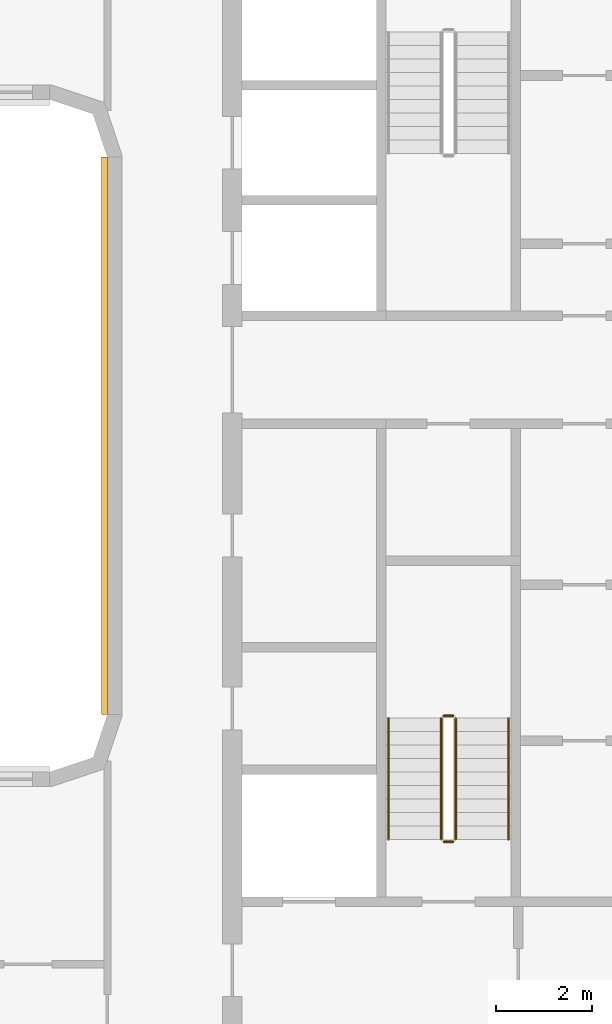
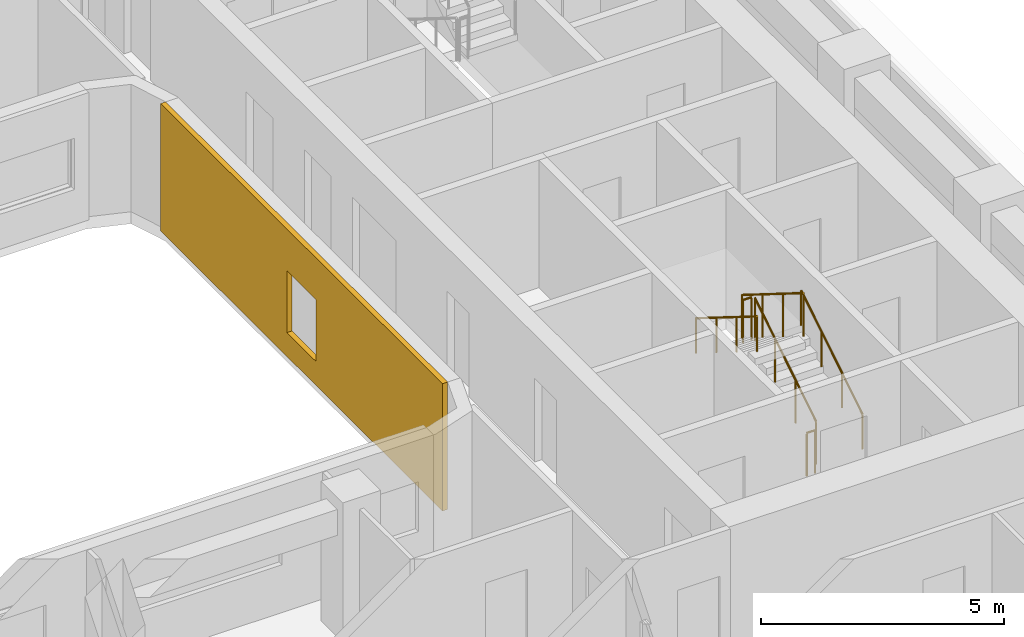
# One storey, part 17 of 22: 6 railings, 1 covering.
"""IFC4 building model written with IfcOpenShell, lengths in metres."""

from ifc_helpers import new_model, si_unit, direction, frame, origin, origin_2d, place, context, subcontext, project, spatial, polyline, circle, outline, extrude, material, layer, layer_set, type_object, element, save


model = new_model("IFC4")

# Units and contexts
model_context = context("Model", 3, precision=1e-05, world=origin(), true_north=direction((0.0, 1.0)))
body_context = subcontext(model_context, "Body", "Model", "MODEL_VIEW")
ifc_project = project(units=[si_unit("LENGTHUNIT", "METRE"), si_unit("AREAUNIT", "SQUARE_METRE"), si_unit("VOLUMEUNIT", "CUBIC_METRE"), si_unit("PLANEANGLEUNIT", "RADIAN"), si_unit("MASSUNIT", "GRAM", prefix="KILO")], contexts=[model_context])

# Site, building, storey
site_placement = place(None, origin())
site = spatial("IfcSite", under=ifc_project, at=site_placement, CompositionType="ELEMENT")
building_placement = place(site_placement, origin())
building = spatial("IfcBuilding", under=site, at=building_placement, Name="Kiln Ring Residences", CompositionType="ELEMENT")
storey_placement = place(building_placement, frame((0.0, 0.0, 150.10009765625)))
storey = spatial("IfcBuildingStorey", under=building, at=storey_placement, Name="L38", CompositionType="ELEMENT", Elevation=150.10009765625)

# Railings
ifc_material_1 = material(Name="Stainless steel", Category="steel")
railing_type_1 = type_object("IfcRailingType", Name="CORE-STAIR-GUARD", PredefinedType="GUARDRAIL", material=ifc_material_1)
railing_1_placement = place(storey_placement, frame((22.25, -8.39990234375, 0.1748046875)))
element("IfcRailing", 1, at=railing_1_placement, inside=storey, type_object=railing_type_1, Name="L38 E-STS stair guard 1", PredefinedType="GUARDRAIL", context=body_context, shape_type="SweptSolid", body=[
    extrude(circle(Radius=0.02392578125, at=origin_2d()), frame((0.0, 0.0, 1.076171875), z_axis=(0.0, 0.847970611238, 0.530043245855), x_axis=(-1.0, 0.0, 0.0)), (0.0, 0.0, 1.0), 2.971923828125),
    extrude(circle(Radius=0.02099609375, at=origin_2d()), origin(), (0.0, 0.0, 1.0), 1.052001953125),
    extrude(circle(Radius=0.02099609375, at=origin_2d()), frame((0.0, 0.840087890625, 0.525146484375)), (0.0, 0.0, 1.0), 1.052001953125),
    extrude(circle(Radius=0.02099609375, at=origin_2d()), frame((0.0, 1.679931640625, 1.050048828125)), (0.0, 0.0, 1.0), 1.052001953125),
    extrude(circle(Radius=0.02099609375, at=origin_2d()), frame((0.0, 2.52001953125, 1.5751953125)), (0.0, 0.0, 1.0), 1.052001953125),
])
railing_2_placement = place(storey_placement, frame((22.199951171875, -5.830078125, 1.75)))
element("IfcRailing", 2, at=railing_2_placement, inside=storey, type_object=railing_type_1, Name="L38 E-STS stair guard 2", PredefinedType="GUARDRAIL", context=body_context, shape_type="SweptSolid", body=[
    extrude(circle(Radius=0.02392578125, at=origin_2d()), frame((0.0, 0.0, 1.076171875), z_axis=(-1.0, 0.0, 0.0), x_axis=(0.0, -1.0, 0.0)), (0.0, 0.0, 1.0), 0.199951171875),
    extrude(circle(Radius=0.02099609375, at=origin_2d()), origin(), (0.0, 0.0, 1.0), 1.052001953125),
    extrude(circle(Radius=0.02099609375, at=origin_2d()), frame((-0.199951171875, 0.0, 0.0)), (0.0, 0.0, 1.0), 1.052001953125),
])
railing_3_placement = place(storey_placement, frame((21.949951171875, -5.8798828125, 1.9248046875)))
element("IfcRailing", 3, at=railing_3_placement, inside=storey, type_object=railing_type_1, Name="L38 E-STS stair guard 3", PredefinedType="GUARDRAIL", context=body_context, shape_type="SweptSolid", body=[
    extrude(circle(Radius=0.02392578125, at=origin_2d()), frame((0.0, 0.0, 1.076171875), z_axis=(0.0, -0.847970611238, 0.530043245855), x_axis=(1.0, 0.0, 0.0)), (0.0, 0.0, 1.0), 2.971923828125),
    extrude(circle(Radius=0.02099609375, at=origin_2d()), origin(), (0.0, 0.0, 1.0), 1.052001953125),
    extrude(circle(Radius=0.02099609375, at=origin_2d()), frame((0.0, -0.840087890625, 0.525146484375)), (0.0, 0.0, 1.0), 1.052001953125),
    extrude(circle(Radius=0.02099609375, at=origin_2d()), frame((0.0, -1.679931640625, 1.050048828125)), (0.0, 0.0, 1.0), 1.052001953125),
    extrude(circle(Radius=0.02099609375, at=origin_2d()), frame((0.0, -2.52001953125, 1.5751953125)), (0.0, 0.0, 1.0), 1.052001953125),
])
railing_4_placement = place(storey_placement, frame((22.199951171875, -8.449951171875, 0.0)))
element("IfcRailing", 4, at=railing_4_placement, inside=storey, type_object=railing_type_1, Name="L38 E-STS stair guard 4", PredefinedType="GUARDRAIL", context=body_context, shape_type="SweptSolid", body=[
    extrude(circle(Radius=0.02392578125, at=origin_2d()), frame((0.0, 0.0, 1.076171875), z_axis=(-1.0, 0.0, 0.0), x_axis=(0.0, -1.0, 0.0)), (0.0, 0.0, 1.0), 0.199951171875),
    extrude(circle(Radius=0.02099609375, at=origin_2d()), origin(), (0.0, 0.0, 1.0), 1.052001953125),
    extrude(circle(Radius=0.02099609375, at=origin_2d()), frame((-0.199951171875, 0.0, 0.0)), (0.0, 0.0, 1.0), 1.052001953125),
])
ifc_material_2 = material(Name="Stainless steel", Category="steel")
railing_type_2 = type_object("IfcRailingType", Name="CORE-STAIR-HANDRAIL", PredefinedType="HANDRAIL", material=ifc_material_2)
railing_5_placement = place(storey_placement, frame((23.35009765625, -8.39990234375, 0.1748046875)))
element("IfcRailing", 5, at=railing_5_placement, inside=storey, type_object=railing_type_2, Name="L38 E-STS stair handrail 1", PredefinedType="HANDRAIL", context=body_context, shape_type="SweptSolid", body=[
    extrude(circle(Radius=0.02392578125, at=origin_2d()), frame((0.0, 0.0, 0.8759765625), z_axis=(0.0, 0.847970611238, 0.530043245855), x_axis=(-1.0, 0.0, 0.0)), (0.0, 0.0, 1.0), 2.971923828125),
    extrude(circle(Radius=0.02099609375, at=origin_2d()), origin(), (0.0, 0.0, 1.0), 0.851806640625),
    extrude(circle(Radius=0.02099609375, at=origin_2d()), frame((0.0, 0.840087890625, 0.525146484375)), (0.0, 0.0, 1.0), 0.851806640625),
    extrude(circle(Radius=0.02099609375, at=origin_2d()), frame((0.0, 1.679931640625, 1.050048828125)), (0.0, 0.0, 1.0), 0.851806640625),
    extrude(circle(Radius=0.02099609375, at=origin_2d()), frame((0.0, 2.52001953125, 1.5751953125)), (0.0, 0.0, 1.0), 0.851806640625),
])
railing_6_placement = place(storey_placement, frame((20.85009765625, -5.8798828125, 1.9248046875)))
element("IfcRailing", 6, at=railing_6_placement, inside=storey, type_object=railing_type_2, Name="L38 E-STS stair handrail 2", PredefinedType="HANDRAIL", context=body_context, shape_type="SweptSolid", body=[
    extrude(circle(Radius=0.02392578125, at=origin_2d()), frame((0.0, 0.0, 0.8759765625), z_axis=(0.0, -0.847970611238, 0.530043245855), x_axis=(1.0, 0.0, 0.0)), (0.0, 0.0, 1.0), 2.971923828125),
    extrude(circle(Radius=0.02099609375, at=origin_2d()), origin(), (0.0, 0.0, 1.0), 0.851806640625),
    extrude(circle(Radius=0.02099609375, at=origin_2d()), frame((0.0, -0.840087890625, 0.525146484375)), (0.0, 0.0, 1.0), 0.851806640625),
    extrude(circle(Radius=0.02099609375, at=origin_2d()), frame((0.0, -1.679931640625, 1.050048828125)), (0.0, 0.0, 1.0), 0.851806640625),
    extrude(circle(Radius=0.02099609375, at=origin_2d()), frame((0.0, -2.52001953125, 1.5751953125)), (0.0, 0.0, 1.0), 0.851806640625),
])

# Covering
ifc_material_3 = material(Name="Brick masonry, dark clay brick", Category="masonry")
ifc_layer = layer(ifc_material_3, 0.1201171875)
ifc_layer_set = layer_set([ifc_layer], Name="RAINSCREEN PANEL 120")
covering_type = type_object("IfcCoveringType", Name="RAINSCREEN PANEL 120", PredefinedType="CLADDING", material=ifc_layer_set)
covering_placement = place(storey_placement, frame((14.93994140625, 5.800048828125, 0.0), z_axis=(0.0, 0.0, 1.0), x_axis=(0.0, -1.0, 0.0)))
element("IfcCovering", 7, at=covering_placement, inside=storey, type_object=covering_type, Name="RAINSCREEN L38", PredefinedType="CLADDING", context=body_context, shape_type="SweptSolid", body=[
    extrude(outline(polyline([(0.0, 0.0), (11.60009765625, 0.0), (11.60009765625, 3.199951171875), (0.0, 3.199951171875), (0.0, 0.0)]), holes=[polyline([(5.199951171875, 2.14990234375), (5.199951171875, 0.599853515625), (6.39990234375, 0.599853515625), (6.39990234375, 2.14990234375), (5.199951171875, 2.14990234375)])]), frame((0.0, 0.06005859375, 0.0), z_axis=(0.0, -1.0, 0.0), x_axis=(1.0, 0.0, 0.0)), (0.0, 0.0, 1.0), 0.1201171875),
])

save(model, "model.ifc")
